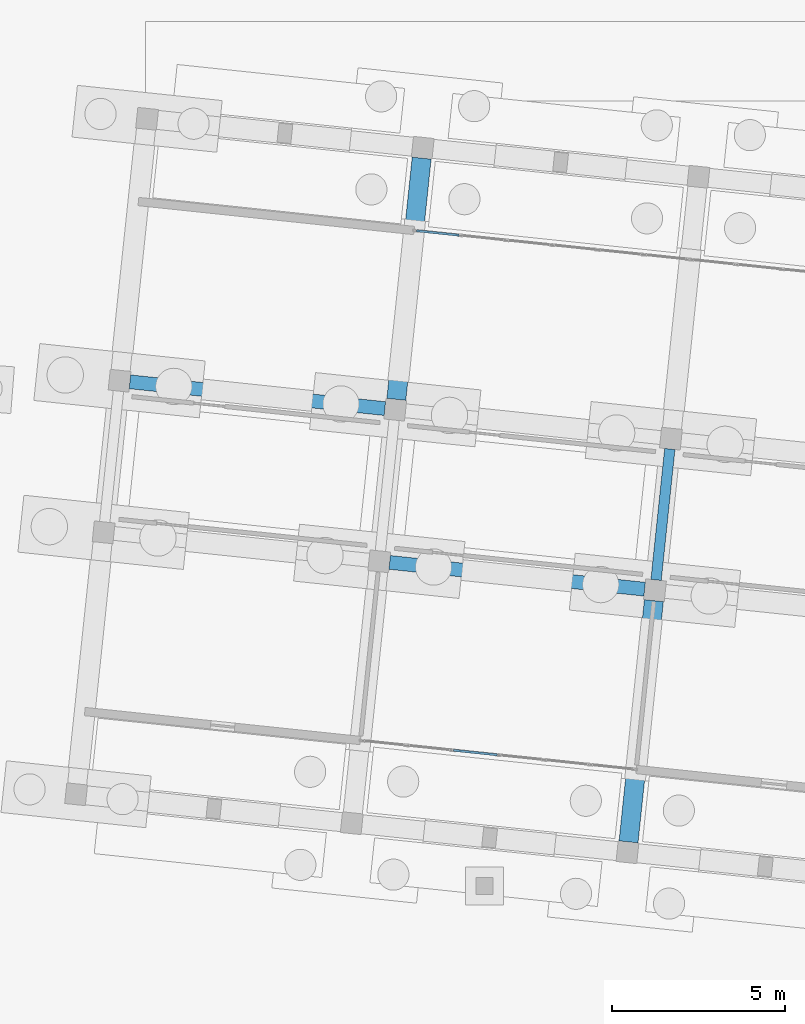
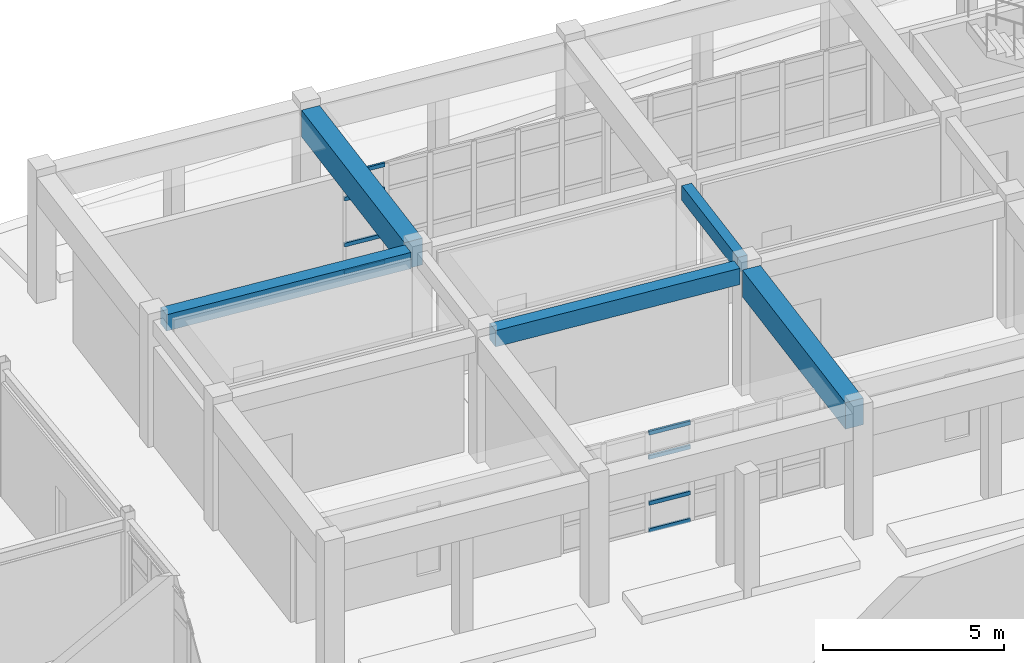
# One storey, part 86 of 154: 8 members, 5 beams, 2 elements without a shape of their own.
"""IFC4 building model written with IfcOpenShell, lengths in metres."""

from ifc_helpers import new_model, si_unit, direction, frame, origin, origin_2d, place, context, subcontext, project, spatial, rectangle, hollow_rectangle, extrude, material, material_profile, profile_set, type_object, element, aggregate, save


model = new_model("IFC4")

# Units and contexts
model_context = context("Model", 3, precision=1e-05, world=origin(), true_north=direction((0.0, 1.0)))
body_context = subcontext(model_context, "Body", "Model", "MODEL_VIEW")
ifc_project = project(units=[si_unit("LENGTHUNIT", "METRE"), si_unit("AREAUNIT", "SQUARE_METRE"), si_unit("VOLUMEUNIT", "CUBIC_METRE"), si_unit("PLANEANGLEUNIT", "RADIAN"), si_unit("MASSUNIT", "GRAM", prefix="KILO")], contexts=[model_context])

# Site, building, storey
site_placement = place(None, origin())
site = spatial("IfcSite", under=ifc_project, at=site_placement, CompositionType="ELEMENT")
building_placement = place(site_placement, origin())
building = spatial("IfcBuilding", under=site, at=building_placement, Name="Kestramere Prow Commons", CompositionType="ELEMENT")
storey_placement = place(building_placement, origin())
storey = spatial("IfcBuildingStorey", under=building, at=storey_placement, Name="L00", CompositionType="ELEMENT", Elevation=0.0)

# Beams
ifc_material_1 = material(Name="Precast concrete C40/50", Category="concrete")
ifc_material_profile_1 = material_profile(ifc_material_1, rectangle(XDim=0.39990234375, YDim=0.550048828125, at=origin_2d()), Name="PC-BM 400x550")
ifc_profile_set_1 = profile_set([ifc_material_profile_1], Name="Precast concrete C40/50")
beam_type_1 = type_object("IfcBeamType", Name="BM-B1 PC-BM 400x550", PredefinedType="BEAM", material=ifc_profile_set_1)
beam_1_placement = place(storey_placement, frame((119.048828125, 101.49072265625, 3.97509765625), z_axis=(0.994523154564, -0.104516482125, 0.0), x_axis=(0.104516482125, 0.994523154564, 0.0)))
element("IfcBeam", 1, at=beam_1_placement, inside=storey, type_object=beam_type_1, Name="Block B L00 Longitudinal Beam 2-2", PredefinedType="BEAM", context=body_context, shape_type="SweptSolid", body=[
    extrude(rectangle(XDim=0.39990234375, YDim=0.550048828125, at=origin_2d()), origin(), (0.0, 0.0, 1.0), 7.400146484375),
])
beam_2_placement = place(storey_placement, frame((111.552734375, 106.702880859375, 3.97509765625), z_axis=(0.994522794159, -0.104519911488, 0.0), x_axis=(0.104519911488, 0.994522794159, 0.0)))
element("IfcBeam", 2, at=beam_2_placement, inside=storey, type_object=beam_type_1, Name="Block B L00 Longitudinal Beam 3-1", PredefinedType="BEAM", context=body_context, shape_type="SweptSolid", body=[
    extrude(rectangle(XDim=0.39990234375, YDim=0.550048828125, at=origin_2d()), origin(), (0.0, 0.0, 1.0), 7.39990234375),
])
ifc_material_profile_2 = material_profile(ifc_material_1, rectangle(XDim=0.300048828125, YDim=0.5, at=origin_2d()), Name="PC-BM 300x500")
ifc_profile_set_2 = profile_set([ifc_material_profile_2], Name="Precast concrete C40/50")
beam_type_2 = type_object("IfcBeamType", Name="BM-TIE-01 PC-BM 300x500", PredefinedType="BEAM", material=ifc_profile_set_2)
beam_3_placement = place(storey_placement, frame((126.738037109375, 100.984375, 4.0), z_axis=(0.10453428057, 0.994521283928, 0.0), x_axis=(-0.994521283928, 0.10453428057, 0.0)))
element("IfcBeam", 3, at=beam_3_placement, inside=storey, type_object=beam_type_2, Name="Block B L00 Transverse Beam 3-2", PredefinedType="BEAM", context=body_context, shape_type="SweptSolid", body=[
    extrude(rectangle(XDim=0.300048828125, YDim=0.5, at=origin_2d()), origin(), (0.0, 0.0, 1.0), 3.7998046875),
])

# Curtain wall, members
ifc_material_2 = material(Name="Anodised Aluminium and Low-E Glass", Category="aluminium")
curtain_wall_type = type_object("IfcCurtainWallType", Name="CW-05 Glazed Curtain Wall 7980x3350", PredefinedType="USERDEFINED", material=ifc_material_2)
curtain_wall_1_placement = place(storey_placement, origin())
curtain_wall_1 = element("IfcCurtainWall", 4, at=curtain_wall_1_placement, inside=storey, type_object=curtain_wall_type, Name="Block B L00 South Colonnade Storefront 2", ObjectType="GLAZED CURTAIN WALL", PredefinedType="USERDEFINED")
ifc_material_3 = material(Name="Anodised Aluminium 6063-T6", Category="aluminium")
ifc_material_profile_3 = material_profile(ifc_material_3, hollow_rectangle(XDim=0.06494140625, YDim=0.1298828125, WallThickness=0.00390625, at=origin_2d()), Name="ALU-TRN 65x130")
ifc_profile_set_3 = profile_set([ifc_material_profile_3], Name="Anodised Aluminium 6063-T6")
member_type = type_object("IfcMemberType", Name="CW-TRN-65x130", PredefinedType="USERDEFINED", material=ifc_profile_set_3)
member_1_placement = place(storey_placement, frame((122.15283203125, 95.935791015625, 0.032470703125), z_axis=(-0.994513909819, 0.104604412793, 0.0), x_axis=(-0.104604412793, -0.994513909819, 0.0)))
member_1 = element("IfcMember", 5, at=member_1_placement, type_object=member_type, Name="CW-05 transom 4.1", ObjectType="TRANSOM", PredefinedType="USERDEFINED", context=body_context, shape_type="SweptSolid", body=[
    extrude(hollow_rectangle(XDim=0.06494140625, YDim=0.1298828125, WallThickness=0.00390625, at=origin_2d()), origin(), (0.0, 0.0, 1.0), 1.264892578125),
])
member_2_placement = place(storey_placement, frame((122.15283203125, 95.935791015625, 0.949951171875), z_axis=(-0.994513909819, 0.104604412793, 0.0), x_axis=(-0.104604412793, -0.994513909819, 0.0)))
member_2 = element("IfcMember", 6, at=member_2_placement, type_object=member_type, Name="CW-05 transom 4.2", ObjectType="TRANSOM", PredefinedType="USERDEFINED", context=body_context, shape_type="SweptSolid", body=[
    extrude(hollow_rectangle(XDim=0.06494140625, YDim=0.1298828125, WallThickness=0.00390625, at=origin_2d()), origin(), (0.0, 0.0, 1.0), 1.264892578125),
])
member_3_placement = place(storey_placement, frame((122.15283203125, 95.935791015625, 2.5), z_axis=(-0.994513909819, 0.104604412793, 0.0), x_axis=(-0.104604412793, -0.994513909819, 0.0)))
member_3 = element("IfcMember", 7, at=member_3_placement, type_object=member_type, Name="CW-05 transom 4.3", ObjectType="TRANSOM", PredefinedType="USERDEFINED", context=body_context, shape_type="SweptSolid", body=[
    extrude(hollow_rectangle(XDim=0.06494140625, YDim=0.1298828125, WallThickness=0.00390625, at=origin_2d()), origin(), (0.0, 0.0, 1.0), 1.264892578125),
])
member_4_placement = place(storey_placement, frame((122.15283203125, 95.935791015625, 3.3173828125), z_axis=(-0.994513909819, 0.104604412793, 0.0), x_axis=(-0.104604412793, -0.994513909819, 0.0)))
member_4 = element("IfcMember", 8, at=member_4_placement, type_object=member_type, Name="CW-05 transom 4.4", ObjectType="TRANSOM", PredefinedType="USERDEFINED", context=body_context, shape_type="SweptSolid", body=[
    extrude(hollow_rectangle(XDim=0.06494140625, YDim=0.1298828125, WallThickness=0.00390625, at=origin_2d()), origin(), (0.0, 0.0, 1.0), 1.264892578125),
])
aggregate(curtain_wall_1, [member_1, member_2, member_3, member_4])

curtain_wall_2_placement = place(storey_placement, origin())
curtain_wall_2 = element("IfcCurtainWall", 9, at=curtain_wall_2_placement, inside=storey, type_object=curtain_wall_type, Name="Block B L00 North Courtyard Storefront 2", ObjectType="GLAZED CURTAIN WALL", PredefinedType="USERDEFINED")
member_5_placement = place(storey_placement, frame((119.82861328125, 111.061767578125, 0.032470703125), z_axis=(0.994516300802, -0.104581678316, 0.0), x_axis=(0.104581678316, 0.994516300802, 0.0)))
member_5 = element("IfcMember", 10, at=member_5_placement, type_object=member_type, Name="CW-05 transom 1.1", ObjectType="TRANSOM", PredefinedType="USERDEFINED", context=body_context, shape_type="SweptSolid", body=[
    extrude(hollow_rectangle(XDim=0.06494140625, YDim=0.1298828125, WallThickness=0.00390625, at=origin_2d()), origin(), (0.0, 0.0, 1.0), 1.232666015625),
])
member_6_placement = place(storey_placement, frame((119.82861328125, 111.061767578125, 0.949951171875), z_axis=(0.994516300802, -0.104581678316, 0.0), x_axis=(0.104581678316, 0.994516300802, 0.0)))
member_6 = element("IfcMember", 11, at=member_6_placement, type_object=member_type, Name="CW-05 transom 1.2", ObjectType="TRANSOM", PredefinedType="USERDEFINED", context=body_context, shape_type="SweptSolid", body=[
    extrude(hollow_rectangle(XDim=0.06494140625, YDim=0.1298828125, WallThickness=0.00390625, at=origin_2d()), origin(), (0.0, 0.0, 1.0), 1.232666015625),
])
member_7_placement = place(storey_placement, frame((119.82861328125, 111.061767578125, 2.5), z_axis=(0.994516300802, -0.104581678316, 0.0), x_axis=(0.104581678316, 0.994516300802, 0.0)))
member_7 = element("IfcMember", 12, at=member_7_placement, type_object=member_type, Name="CW-05 transom 1.3", ObjectType="TRANSOM", PredefinedType="USERDEFINED", context=body_context, shape_type="SweptSolid", body=[
    extrude(hollow_rectangle(XDim=0.06494140625, YDim=0.1298828125, WallThickness=0.00390625, at=origin_2d()), origin(), (0.0, 0.0, 1.0), 1.232666015625),
])
member_8_placement = place(storey_placement, frame((119.82861328125, 111.061767578125, 3.3173828125), z_axis=(0.994516300802, -0.104581678316, 0.0), x_axis=(0.104581678316, 0.994516300802, 0.0)))
member_8 = element("IfcMember", 13, at=member_8_placement, type_object=member_type, Name="CW-05 transom 1.4", ObjectType="TRANSOM", PredefinedType="USERDEFINED", context=body_context, shape_type="SweptSolid", body=[
    extrude(hollow_rectangle(XDim=0.06494140625, YDim=0.1298828125, WallThickness=0.00390625, at=origin_2d()), origin(), (0.0, 0.0, 1.0), 1.232666015625),
])
aggregate(curtain_wall_2, [member_5, member_6, member_7, member_8])

# Beams
ifc_material_profile_4 = material_profile(ifc_material_1, rectangle(XDim=0.550048828125, YDim=0.89990234375, at=origin_2d()), Name="PC-TG 550x900")
ifc_profile_set_4 = profile_set([ifc_material_profile_4], Name="Precast concrete C40/50")
beam_type_3 = type_object("IfcBeamType", Name="TG-01 PC-TG 550x900 (EX)", PredefinedType="BEAM", material=ifc_profile_set_4)
for number, where, z_axis, x_axis, name in (
    (14, (119.241943359375, 106.1962890625, 3.800048828125), (0.104526832686, 0.994522066748, 0.0), (-0.994522066748, 0.104526832686, 0.0), "Block B L00 N Colonnade Transfer Girder 2"),
    (15, (125.943603515625, 93.42578125, 3.800048828125), (0.104526832686, 0.994522066748, 0.0), (-0.994522066748, 0.104526832686, 0.0), "Block B L00 S Colonnade Transfer Girder 3"),
):
    element("IfcBeam", number, at=place(storey_placement, frame(where, z_axis=z_axis, x_axis=x_axis)), inside=storey, type_object=beam_type_3, Name=name, PredefinedType="BEAM", context=body_context, shape_type="SweptSolid", body=[
        extrude(rectangle(XDim=0.550048828125, YDim=0.89990234375, at=origin_2d()), origin(), (0.0, 0.0, 1.0), 7.0),
    ])

save(model, "model.ifc")
